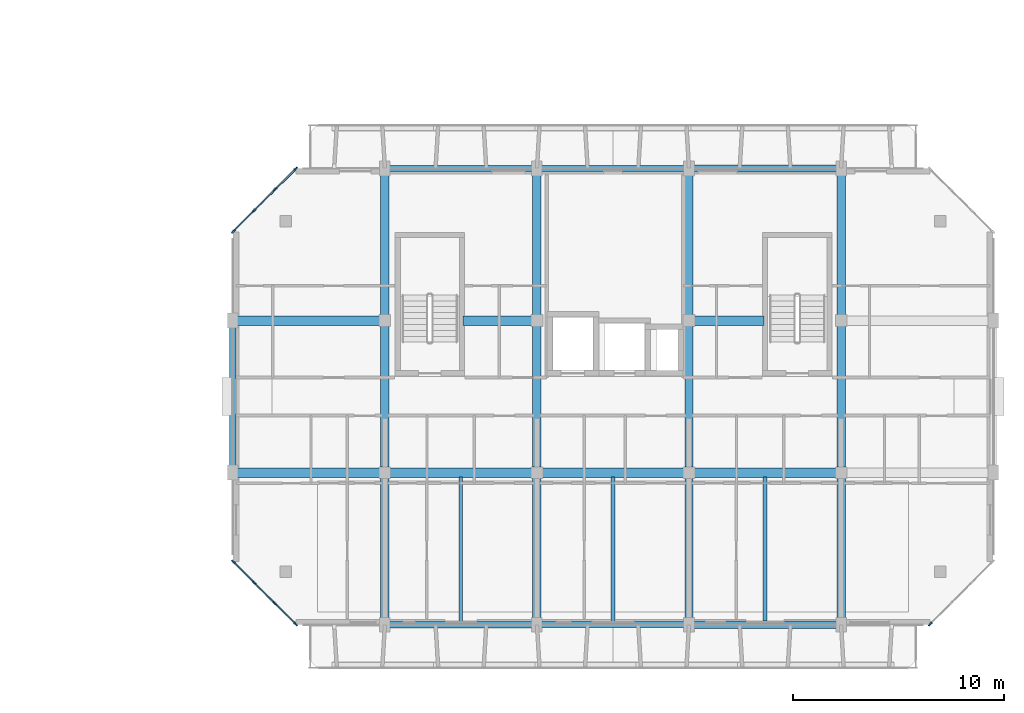
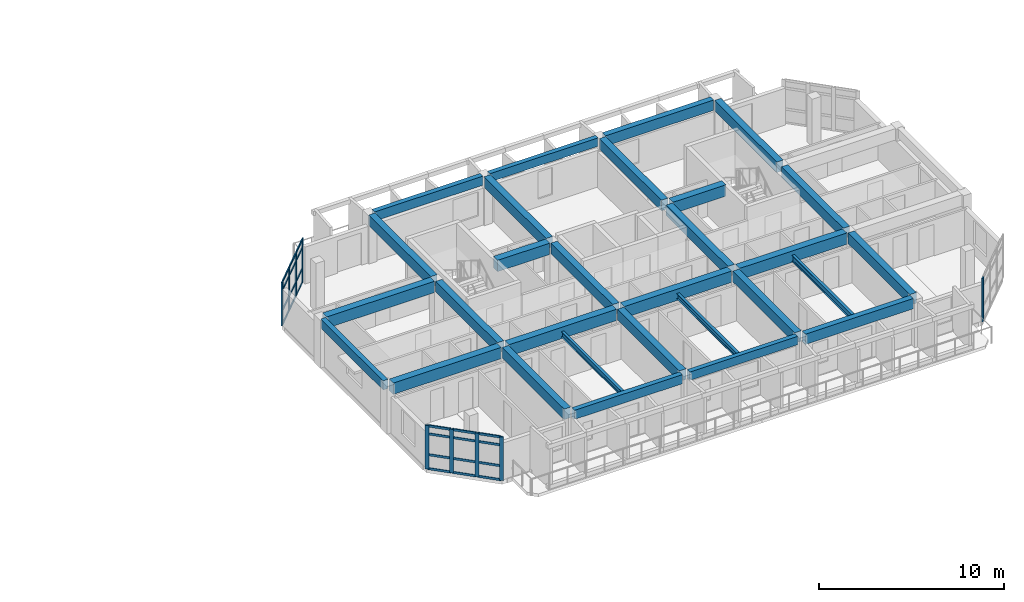
# One storey, part 6 of 43: 33 members, 29 beams, 3 elements without a shape of their own.
"""IFC4 building model written with IfcOpenShell, lengths in metres."""

from ifc_helpers import new_model, si_unit, direction, frame, origin, origin_2d, place, context, subcontext, project, spatial, rectangle, i_section, extrude, material, layer, layer_set, material_profile, profile_set, type_object, element, aggregate, save


model = new_model("IFC4")

# Units and contexts
model_context = context("Model", 3, precision=1e-05, world=origin(), true_north=direction((0.0, 1.0)))
body_context = subcontext(model_context, "Body", "Model", "MODEL_VIEW")
ifc_project = project(units=[si_unit("LENGTHUNIT", "METRE"), si_unit("AREAUNIT", "SQUARE_METRE"), si_unit("VOLUMEUNIT", "CUBIC_METRE"), si_unit("PLANEANGLEUNIT", "RADIAN"), si_unit("MASSUNIT", "GRAM", prefix="KILO")], contexts=[model_context])

# Site, building, storey
site_placement = place(None, origin())
site = spatial("IfcSite", under=ifc_project, at=site_placement, CompositionType="ELEMENT")
building_placement = place(site_placement, origin())
building = spatial("IfcBuilding", under=site, at=building_placement, Name="Ochrevale Crest", CompositionType="ELEMENT")
storey_placement = place(building_placement, frame((0.0, 0.0, 15.0)))
storey = spatial("IfcBuildingStorey", under=building, at=storey_placement, Name="L04", CompositionType="ELEMENT", Elevation=15.0)

# Beams
ifc_material_1 = material(Name="Precast concrete C50/60", Category="concrete")
ifc_material_profile_1 = material_profile(ifc_material_1, rectangle(XDim=0.39990234375, YDim=0.699951171875, at=origin_2d()), Name="PC 400x700")
ifc_profile_set_1 = profile_set([ifc_material_profile_1], Name="Precast concrete C50/60")
beam_type_1 = type_object("IfcBeamType", Name="BM-PC400x700", PredefinedType="BEAM", material=ifc_profile_set_1)
beam_1_placement = place(storey_placement, frame((136.800048828125, 14.6298828125, 2.800048828125), z_axis=(0.0, 1.0, 0.0), x_axis=(-1.0, 0.0, 0.0)))
element("IfcBeam", 1, at=beam_1_placement, inside=storey, type_object=beam_type_1, Name="Block C L04 N-S beam X=136.8", PredefinedType="BEAM", context=body_context, shape_type="SweptSolid", body=[
    extrude(rectangle(XDim=0.39990234375, YDim=0.699951171875, at=origin_2d()), origin(), (0.0, 0.0, 1.0), 6.715087890625),
])
beam_2_placement = place(storey_placement, frame((136.800048828125, 21.85498046875, 2.800048828125), z_axis=(0.0, 1.0, 0.0), x_axis=(-1.0, 0.0, 0.0)))
element("IfcBeam", 2, at=beam_2_placement, inside=storey, type_object=beam_type_1, Name="Block C L04 N-S beam X=136.8", PredefinedType="BEAM", context=body_context, shape_type="SweptSolid", body=[
    extrude(rectangle(XDim=0.39990234375, YDim=0.699951171875, at=origin_2d()), origin(), (0.0, 0.0, 1.0), 6.68994140625),
])
for number, where, z_axis, x_axis, name in (
    (3, (136.800048828125, 29.054931640625, 2.800048828125), (0.0, 1.0, 0.0), (-1.0, 0.0, 0.0), "Block C L04 N-S beam X=136.8"),
    (4, (144.0, 14.6298828125, 2.800048828125), (0.0, 1.0, 0.0), (-1.0, 0.0, 0.0), "Block C L04 N-S beam X=144.0"),
):
    element("IfcBeam", number, at=place(storey_placement, frame(where, z_axis=z_axis, x_axis=x_axis)), inside=storey, type_object=beam_type_1, Name=name, PredefinedType="BEAM", context=body_context, shape_type="SweptSolid", body=[
        extrude(rectangle(XDim=0.39990234375, YDim=0.699951171875, at=origin_2d()), origin(), (0.0, 0.0, 1.0), 6.715087890625),
    ])
beam_3_placement = place(storey_placement, frame((144.0, 21.85498046875, 2.800048828125), z_axis=(0.0, 1.0, 0.0), x_axis=(-1.0, 0.0, 0.0)))
element("IfcBeam", 5, at=beam_3_placement, inside=storey, type_object=beam_type_1, Name="Block C L04 N-S beam X=144.0", PredefinedType="BEAM", context=body_context, shape_type="SweptSolid", body=[
    extrude(rectangle(XDim=0.39990234375, YDim=0.699951171875, at=origin_2d()), origin(), (0.0, 0.0, 1.0), 6.68994140625),
])
for number, where, z_axis, x_axis, name in (
    (6, (144.0, 29.054931640625, 2.800048828125), (0.0, 1.0, 0.0), (-1.0, 0.0, 0.0), "Block C L04 N-S beam X=144.0"),
    (7, (151.199951171875, 14.6298828125, 2.800048828125), (0.0, 1.0, 0.0), (-1.0, 0.0, 0.0), "Block C L04 N-S beam X=151.2"),
):
    element("IfcBeam", number, at=place(storey_placement, frame(where, z_axis=z_axis, x_axis=x_axis)), inside=storey, type_object=beam_type_1, Name=name, PredefinedType="BEAM", context=body_context, shape_type="SweptSolid", body=[
        extrude(rectangle(XDim=0.39990234375, YDim=0.699951171875, at=origin_2d()), origin(), (0.0, 0.0, 1.0), 6.715087890625),
    ])
beam_4_placement = place(storey_placement, frame((151.199951171875, 21.85498046875, 2.800048828125), z_axis=(0.0, 1.0, 0.0), x_axis=(-1.0, 0.0, 0.0)))
element("IfcBeam", 8, at=beam_4_placement, inside=storey, type_object=beam_type_1, Name="Block C L04 N-S beam X=151.2", PredefinedType="BEAM", context=body_context, shape_type="SweptSolid", body=[
    extrude(rectangle(XDim=0.39990234375, YDim=0.699951171875, at=origin_2d()), origin(), (0.0, 0.0, 1.0), 6.68994140625),
])
for number, where, z_axis, x_axis, name in (
    (9, (151.199951171875, 29.054931640625, 2.800048828125), (0.0, 1.0, 0.0), (-1.0, 0.0, 0.0), "Block C L04 N-S beam X=151.2"),
    (10, (158.39990234375, 14.6298828125, 2.800048828125), (0.0, 1.0, 0.0), (-1.0, 0.0, 0.0), "Block C L04 N-S beam X=158.4"),
):
    element("IfcBeam", number, at=place(storey_placement, frame(where, z_axis=z_axis, x_axis=x_axis)), inside=storey, type_object=beam_type_1, Name=name, PredefinedType="BEAM", context=body_context, shape_type="SweptSolid", body=[
        extrude(rectangle(XDim=0.39990234375, YDim=0.699951171875, at=origin_2d()), origin(), (0.0, 0.0, 1.0), 6.715087890625),
    ])
beam_5_placement = place(storey_placement, frame((158.39990234375, 21.85498046875, 2.800048828125), z_axis=(0.0, 1.0, 0.0), x_axis=(-1.0, 0.0, 0.0)))
element("IfcBeam", 11, at=beam_5_placement, inside=storey, type_object=beam_type_1, Name="Block C L04 N-S beam X=158.4", PredefinedType="BEAM", context=body_context, shape_type="SweptSolid", body=[
    extrude(rectangle(XDim=0.39990234375, YDim=0.699951171875, at=origin_2d()), origin(), (0.0, 0.0, 1.0), 6.68994140625),
])
beam_6_placement = place(storey_placement, frame((158.39990234375, 29.054931640625, 2.800048828125), z_axis=(0.0, 1.0, 0.0), x_axis=(-1.0, 0.0, 0.0)))
element("IfcBeam", 12, at=beam_6_placement, inside=storey, type_object=beam_type_1, Name="Block C L04 N-S beam X=158.4", PredefinedType="BEAM", context=body_context, shape_type="SweptSolid", body=[
    extrude(rectangle(XDim=0.39990234375, YDim=0.699951171875, at=origin_2d()), origin(), (0.0, 0.0, 1.0), 6.715087890625),
])
ifc_material_2 = material(Name="Concrete C50/60", Category="concrete")
ifc_material_profile_2 = material_profile(ifc_material_2, rectangle(XDim=0.449951171875, YDim=0.75, at=origin_2d()), Name="RC 450x750")
ifc_profile_set_2 = profile_set([ifc_material_profile_2], Name="Concrete C50/60")
beam_type_2 = type_object("IfcBeamType", Name="BM-PG450x750", PredefinedType="USERDEFINED", material=ifc_profile_set_2)
beam_7_placement = place(storey_placement, frame((129.824951171875, 21.60009765625, 2.77490234375), z_axis=(1.0, 0.0, 0.0), x_axis=(0.0, 1.0, 0.0)))
element("IfcBeam", 13, at=beam_7_placement, inside=storey, type_object=beam_type_2, Name="Block C L04 E-W beam Y=21.6", ObjectType="GIRDER", PredefinedType="USERDEFINED", context=body_context, shape_type="SweptSolid", body=[
    extrude(rectangle(XDim=0.449951171875, YDim=0.75, at=origin_2d()), origin(), (0.0, 0.0, 1.0), 6.72509765625),
])
for number, where, z_axis, x_axis, name in (
    (14, (137.050048828125, 21.60009765625, 2.77490234375), (1.0, 0.0, 0.0), (0.0, 1.0, 0.0), "Block C L04 E-W beam Y=21.6"),
    (15, (144.25, 21.60009765625, 2.77490234375), (1.0, 0.0, 0.0), (0.0, 1.0, 0.0), "Block C L04 E-W beam Y=21.6"),
    (16, (151.449951171875, 21.60009765625, 2.77490234375), (1.0, 0.0, 0.0), (0.0, 1.0, 0.0), "Block C L04 E-W beam Y=21.6"),
):
    element("IfcBeam", number, at=place(storey_placement, frame(where, z_axis=z_axis, x_axis=x_axis)), inside=storey, type_object=beam_type_2, Name=name, ObjectType="GIRDER", PredefinedType="USERDEFINED", context=body_context, shape_type="SweptSolid", body=[
        extrude(rectangle(XDim=0.449951171875, YDim=0.75, at=origin_2d()), origin(), (0.0, 0.0, 1.0), 6.699951171875),
    ])
beam_8_placement = place(storey_placement, frame((129.824951171875, 28.800048828125, 2.77490234375), z_axis=(1.0, 0.0, 0.0), x_axis=(0.0, 1.0, 0.0)))
element("IfcBeam", 17, at=beam_8_placement, inside=storey, type_object=beam_type_2, Name="Block C L04 E-W beam Y=28.8", ObjectType="GIRDER", PredefinedType="USERDEFINED", context=body_context, shape_type="SweptSolid", body=[
    extrude(rectangle(XDim=0.449951171875, YDim=0.75, at=origin_2d()), origin(), (0.0, 0.0, 1.0), 6.72509765625),
])
beam_9_placement = place(storey_placement, frame((140.489990234375, 28.800048828125, 2.77490234375), z_axis=(1.0, 0.0, 0.0), x_axis=(0.0, 1.0, 0.0)))
element("IfcBeam", 18, at=beam_9_placement, inside=storey, type_object=beam_type_2, Name="Block C L04 E-W beam Y=28.8", ObjectType="GIRDER", PredefinedType="USERDEFINED", context=body_context, shape_type="SweptSolid", body=[
    extrude(rectangle(XDim=0.449951171875, YDim=0.75, at=origin_2d()), origin(), (0.0, 0.0, 1.0), 3.260009765625),
])
beam_10_placement = place(storey_placement, frame((151.449951171875, 28.800048828125, 2.77490234375), z_axis=(1.0, 0.0, 0.0), x_axis=(0.0, 1.0, 0.0)))
element("IfcBeam", 19, at=beam_10_placement, inside=storey, type_object=beam_type_2, Name="Block C L04 E-W beam Y=28.8", ObjectType="GIRDER", PredefinedType="USERDEFINED", context=body_context, shape_type="SweptSolid", body=[
    extrude(rectangle(XDim=0.449951171875, YDim=0.75, at=origin_2d()), origin(), (0.0, 0.0, 1.0), 3.31005859375),
])
ifc_material_3 = material(Name="Precast concrete C40/50", Category="concrete")
ifc_material_profile_3 = material_profile(ifc_material_3, rectangle(XDim=0.280029296875, YDim=0.550048828125, at=origin_2d()), Name="PC 280x550")
ifc_profile_set_3 = profile_set([ifc_material_profile_3], Name="Precast concrete C40/50")
beam_type_3 = type_object("IfcBeamType", Name="BM-SP280x550", PredefinedType="SPANDREL", material=ifc_profile_set_3)
for number, where, z_axis, x_axis, name in (
    (20, (144.22509765625, 14.39990234375, 2.875), (1.0, 0.0, 0.0), (0.0, 1.0, 0.0), "Block C L04 E-W beam Y=14.4"),
    (21, (144.22509765625, 36.0, 2.875), (1.0, 0.0, 0.0), (0.0, 1.0, 0.0), "Block C L04 E-W beam Y=36.0"),
):
    element("IfcBeam", number, at=place(storey_placement, frame(where, z_axis=z_axis, x_axis=x_axis)), inside=storey, type_object=beam_type_3, Name=name, PredefinedType="SPANDREL", context=body_context, shape_type="SweptSolid", body=[
        extrude(rectangle(XDim=0.280029296875, YDim=0.550048828125, at=origin_2d()), origin(), (0.0, 0.0, 1.0), 6.75),
    ])
ifc_material_profile_4 = material_profile(ifc_material_3, rectangle(XDim=0.300048828125, YDim=0.60009765625, at=origin_2d()), Name="PC 300x600")
ifc_profile_set_4 = profile_set([ifc_material_profile_4], Name="Precast concrete C40/50")
beam_type_4 = type_object("IfcBeamType", Name="BM-SP300x600", PredefinedType="SPANDREL", material=ifc_profile_set_4)
for number, where, z_axis, x_axis, name in (
    (22, (137.02490234375, 14.39990234375, 2.85009765625), (1.0, 0.0, 0.0), (0.0, 1.0, 0.0), "Block C L04 E-W beam Y=14.4"),
    (23, (137.02490234375, 36.0, 2.85009765625), (1.0, 0.0, 0.0), (0.0, 1.0, 0.0), "Block C L04 E-W beam Y=36.0"),
):
    element("IfcBeam", number, at=place(storey_placement, frame(where, z_axis=z_axis, x_axis=x_axis)), inside=storey, type_object=beam_type_4, Name=name, PredefinedType="SPANDREL", context=body_context, shape_type="SweptSolid", body=[
        extrude(rectangle(XDim=0.300048828125, YDim=0.60009765625, at=origin_2d()), origin(), (0.0, 0.0, 1.0), 6.75),
    ])
beam_11_placement = place(storey_placement, frame((129.60009765625, 21.830078125, 2.85009765625), z_axis=(0.0, 1.0, 0.0), x_axis=(-1.0, 0.0, 0.0)))
element("IfcBeam", 24, at=beam_11_placement, inside=storey, type_object=beam_type_4, Name="Block C L04 N-S beam X=129.6", PredefinedType="SPANDREL", context=body_context, shape_type="SweptSolid", body=[
    extrude(rectangle(XDim=0.300048828125, YDim=0.60009765625, at=origin_2d()), origin(), (0.0, 0.0, 1.0), 6.739990234375),
])
ifc_material_profile_5 = material_profile(ifc_material_3, rectangle(XDim=0.35009765625, YDim=0.679931640625, at=origin_2d()), Name="PC 350x680")
ifc_profile_set_5 = profile_set([ifc_material_profile_5], Name="Precast concrete C40/50")
beam_type_5 = type_object("IfcBeamType", Name="BM-SP350x680", PredefinedType="SPANDREL", material=ifc_profile_set_5)
for number, where, z_axis, x_axis, name in (
    (25, (151.425048828125, 14.39990234375, 2.81005859375), (1.0, 0.0, 0.0), (0.0, 1.0, 0.0), "Block C L04 E-W beam Y=14.4"),
    (26, (151.425048828125, 36.0, 2.81005859375), (1.0, 0.0, 0.0), (0.0, 1.0, 0.0), "Block C L04 E-W beam Y=36.0"),
):
    element("IfcBeam", number, at=place(storey_placement, frame(where, z_axis=z_axis, x_axis=x_axis)), inside=storey, type_object=beam_type_5, Name=name, PredefinedType="SPANDREL", context=body_context, shape_type="SweptSolid", body=[
        extrude(rectangle(XDim=0.35009765625, YDim=0.679931640625, at=origin_2d()), origin(), (0.0, 0.0, 1.0), 6.75),
    ])
ifc_material_4 = material(Name="Steel S355", Category="steel")
ifc_material_profile_6 = material_profile(ifc_material_4, i_section(OverallWidth=0.17138671875, OverallDepth=0.355712890625, WebThickness=0.00732421875, FlangeThickness=0.011474609375, FilletRadius=0.011474609375, at=origin_2d()), Name="360UB50.7")
ifc_profile_set_6 = profile_set([ifc_material_profile_6], Name="Steel S355")
beam_type_6 = type_object("IfcBeamType", Name="BM-UB360A", PredefinedType="BEAM", material=ifc_profile_set_6)
beam_12_placement = place(storey_placement, frame((140.39990234375, 14.5380859375, 2.697265625), z_axis=(0.0, 1.0, 0.0), x_axis=(-1.0, 0.0, 0.0)))
element("IfcBeam", 27, at=beam_12_placement, inside=storey, type_object=beam_type_6, Name="Block C L04 composite plank trimmer beam 2", PredefinedType="BEAM", context=body_context, shape_type="SweptSolid", body=[
    extrude(i_section(OverallWidth=0.17138671875, OverallDepth=0.355712890625, WebThickness=0.00732421875, FlangeThickness=0.011474609375, FilletRadius=0.011474609375, at=origin_2d()), origin(), (0.0, 0.0, 1.0), 6.848876953125),
])
ifc_material_profile_7 = material_profile(ifc_material_4, i_section(OverallWidth=0.172119140625, OverallDepth=0.358642578125, WebThickness=0.008056640625, FlangeThickness=0.012939453125, FilletRadius=0.011474609375, at=origin_2d()), Name="360UB56.7")
ifc_profile_set_7 = profile_set([ifc_material_profile_7], Name="Steel S355")
beam_type_7 = type_object("IfcBeamType", Name="BM-UB360B", PredefinedType="BEAM", material=ifc_profile_set_7)
beam_13_placement = place(storey_placement, frame((147.60009765625, 14.528076171875, 2.69580078125), z_axis=(0.0, 1.0, 0.0), x_axis=(-1.0, 0.0, 0.0)))
element("IfcBeam", 28, at=beam_13_placement, inside=storey, type_object=beam_type_7, Name="Block C L04 composite plank trimmer beam 3", PredefinedType="BEAM", context=body_context, shape_type="SweptSolid", body=[
    extrude(i_section(OverallWidth=0.172119140625, OverallDepth=0.358642578125, WebThickness=0.008056640625, FlangeThickness=0.012939453125, FilletRadius=0.011474609375, at=origin_2d()), origin(), (0.0, 0.0, 1.0), 6.85888671875),
])
ifc_material_profile_8 = material_profile(ifc_material_4, i_section(OverallWidth=0.177734375, OverallDepth=0.402587890625, WebThickness=0.007568359375, FlangeThickness=0.010986328125, FilletRadius=0.011474609375, at=origin_2d()), Name="410UB53.7")
ifc_profile_set_8 = profile_set([ifc_material_profile_8], Name="Steel S355")
beam_type_8 = type_object("IfcBeamType", Name="BM-UB410A", PredefinedType="BEAM", material=ifc_profile_set_8)
beam_14_placement = place(storey_placement, frame((154.800048828125, 14.56298828125, 2.673583984375), z_axis=(0.0, 1.0, 0.0), x_axis=(-1.0, 0.0, 0.0)))
element("IfcBeam", 29, at=beam_14_placement, inside=storey, type_object=beam_type_8, Name="Block C L04 composite plank trimmer beam 4", PredefinedType="BEAM", context=body_context, shape_type="SweptSolid", body=[
    extrude(i_section(OverallWidth=0.177734375, OverallDepth=0.402587890625, WebThickness=0.007568359375, FlangeThickness=0.010986328125, FilletRadius=0.011474609375, at=origin_2d()), origin(), (0.0, 0.0, 1.0), 6.823974609375),
])

# Curtain wall, member
ifc_material_5 = material(Name="Anodised aluminium 6063-T5", Category="aluminium")
ifc_layer_1 = layer(ifc_material_5, 0.14990234375)
ifc_layer_set_1 = layer_set([ifc_layer_1], Name="Anodised aluminium 6063-T5")
curtain_wall_type_1 = type_object("IfcCurtainWallType", Name="CW-WG-280x285", PredefinedType="NOTDEFINED", material=ifc_layer_set_1)
curtain_wall_1_placement = place(storey_placement, origin())
curtain_wall_1 = element("IfcCurtainWall", 30, at=curtain_wall_1_placement, inside=storey, type_object=curtain_wall_type_1, Name="Block C L04 chamfered corner wintergarden curtain wall 2", PredefinedType="NOTDEFINED")
ifc_material_profile_9 = material_profile(ifc_material_5, rectangle(XDim=0.074951171875, YDim=0.219970703125, at=origin_2d()), Name="ALU 75x220")
ifc_profile_set_9 = profile_set([ifc_material_profile_9], Name="Anodised aluminium 6063-T5")
member_type_1 = type_object("IfcMemberType", Name="CW-MUL-75x220", PredefinedType="MULLION", material=ifc_profile_set_9)
member_1_placement = place(storey_placement, frame((162.62646484375, 14.426513671875, 0.0), z_axis=(0.0, 0.0, 1.0), x_axis=(-0.707106781187, 0.707106781187, 0.0)))
member_1 = element("IfcMember", 31, at=member_1_placement, type_object=member_type_1, Name="CW16 mullion 1", PredefinedType="MULLION", context=body_context, shape_type="SweptSolid", body=[
    extrude(rectangle(XDim=0.074951171875, YDim=0.219970703125, at=origin_2d()), origin(), (0.0, 0.0, 1.0), 2.875),
])
aggregate(curtain_wall_1, [member_1])

# Curtain wall, members
ifc_layer_2 = layer(ifc_material_5, 0.14990234375)
ifc_layer_set_2 = layer_set([ifc_layer_2], Name="Anodised aluminium 6063-T5")
curtain_wall_type_2 = type_object("IfcCurtainWallType", Name="CW-WG-240x285", PredefinedType="NOTDEFINED", material=ifc_layer_set_2)
curtain_wall_2_placement = place(storey_placement, origin())
curtain_wall_2 = element("IfcCurtainWall", 32, at=curtain_wall_2_placement, inside=storey, type_object=curtain_wall_type_2, Name="Block C L04 chamfered corner wintergarden curtain wall 6", PredefinedType="NOTDEFINED")
member_2_placement = place(storey_placement, frame((132.573486328125, 35.973388671875, 0.0), z_axis=(0.0, 0.0, 1.0), x_axis=(0.707106781187, -0.707106781187, 0.0)))
member_2 = element("IfcMember", 33, at=member_2_placement, type_object=member_type_1, Name="CW15 mullion 1", PredefinedType="MULLION", context=body_context, shape_type="SweptSolid", body=[
    extrude(rectangle(XDim=0.074951171875, YDim=0.219970703125, at=origin_2d()), origin(), (0.0, 0.0, 1.0), 2.875),
])
member_3_placement = place(storey_placement, frame((131.60009765625, 35.0, 0.0), z_axis=(0.0, 0.0, 1.0), x_axis=(0.707106781187, -0.707106781187, 0.0)))
member_3 = element("IfcMember", 34, at=member_3_placement, type_object=member_type_1, Name="CW15 mullion 2", PredefinedType="MULLION", context=body_context, shape_type="SweptSolid", body=[
    extrude(rectangle(XDim=0.074951171875, YDim=0.219970703125, at=origin_2d()), origin(), (0.0, 0.0, 1.0), 2.875),
])
member_4_placement = place(storey_placement, frame((130.60009765625, 34.0, 0.0), z_axis=(0.0, 0.0, 1.0), x_axis=(0.707106781187, -0.707106781187, 0.0)))
member_4 = element("IfcMember", 35, at=member_4_placement, type_object=member_type_1, Name="CW15 mullion 3", PredefinedType="MULLION", context=body_context, shape_type="SweptSolid", body=[
    extrude(rectangle(XDim=0.074951171875, YDim=0.219970703125, at=origin_2d()), origin(), (0.0, 0.0, 1.0), 2.875),
])
member_5_placement = place(storey_placement, frame((129.62646484375, 33.026611328125, 0.0), z_axis=(0.0, 0.0, 1.0), x_axis=(0.707106781187, -0.707106781187, 0.0)))
member_5 = element("IfcMember", 36, at=member_5_placement, type_object=member_type_1, Name="CW15 mullion 4", PredefinedType="MULLION", context=body_context, shape_type="SweptSolid", body=[
    extrude(rectangle(XDim=0.074951171875, YDim=0.219970703125, at=origin_2d()), origin(), (0.0, 0.0, 1.0), 2.875),
])

ifc_layer_3 = layer(ifc_material_5, 0.14990234375)
ifc_layer_set_3 = layer_set([ifc_layer_3], Name="Anodised aluminium 6063-T5")
curtain_wall_type_3 = type_object("IfcCurtainWallType", Name="CW-WG-320x285", PredefinedType="NOTDEFINED", material=ifc_layer_set_3)
curtain_wall_3_placement = place(storey_placement, origin())
curtain_wall_3 = element("IfcCurtainWall", 37, at=curtain_wall_3_placement, inside=storey, type_object=curtain_wall_type_3, Name="Block C L04 chamfered corner wintergarden curtain wall 8", PredefinedType="NOTDEFINED")
member_6_placement = place(storey_placement, frame((129.62646484375, 17.37353515625, 0.0), z_axis=(0.0, 0.0, 1.0), x_axis=(0.707106781187, 0.707106781187, 0.0)))
member_6 = element("IfcMember", 38, at=member_6_placement, type_object=member_type_1, Name="CW17 mullion 1", PredefinedType="MULLION", context=body_context, shape_type="SweptSolid", body=[
    extrude(rectangle(XDim=0.074951171875, YDim=0.219970703125, at=origin_2d()), origin(), (0.0, 0.0, 1.0), 2.875),
])
member_7_placement = place(storey_placement, frame((130.60009765625, 16.39990234375, 0.0), z_axis=(0.0, 0.0, 1.0), x_axis=(0.707106781187, 0.707106781187, 0.0)))
member_7 = element("IfcMember", 39, at=member_7_placement, type_object=member_type_1, Name="CW17 mullion 2", PredefinedType="MULLION", context=body_context, shape_type="SweptSolid", body=[
    extrude(rectangle(XDim=0.074951171875, YDim=0.219970703125, at=origin_2d()), origin(), (0.0, 0.0, 1.0), 2.875),
])
member_8_placement = place(storey_placement, frame((131.60009765625, 15.39990234375, 0.0), z_axis=(0.0, 0.0, 1.0), x_axis=(0.707106781187, 0.707106781187, 0.0)))
member_8 = element("IfcMember", 40, at=member_8_placement, type_object=member_type_1, Name="CW17 mullion 3", PredefinedType="MULLION", context=body_context, shape_type="SweptSolid", body=[
    extrude(rectangle(XDim=0.074951171875, YDim=0.219970703125, at=origin_2d()), origin(), (0.0, 0.0, 1.0), 2.875),
])
member_9_placement = place(storey_placement, frame((132.573486328125, 14.426513671875, 0.0), z_axis=(0.0, 0.0, 1.0), x_axis=(0.707106781187, 0.707106781187, 0.0)))
member_9 = element("IfcMember", 41, at=member_9_placement, type_object=member_type_1, Name="CW17 mullion 4", PredefinedType="MULLION", context=body_context, shape_type="SweptSolid", body=[
    extrude(rectangle(XDim=0.074951171875, YDim=0.219970703125, at=origin_2d()), origin(), (0.0, 0.0, 1.0), 2.875),
])

# Member
ifc_material_profile_10 = material_profile(ifc_material_5, rectangle(XDim=0.06005859375, YDim=0.14990234375, at=origin_2d()), Name="ALU 60x150")
ifc_profile_set_10 = profile_set([ifc_material_profile_10], Name="Anodised aluminium 6063-T5")
member_type_2 = type_object("IfcMemberType", Name="CW-TRN-60x150", PredefinedType="USERDEFINED", material=ifc_profile_set_10)
member_10_placement = place(storey_placement, frame((132.546875, 35.947021484375, 0.030029296875), z_axis=(-0.707106781187, -0.707106781187, 0.0), x_axis=(0.707106781187, -0.707106781187, 0.0)))
member_10 = element("IfcMember", 42, at=member_10_placement, type_object=member_type_2, Name="CW15 transom 1.1", ObjectType="TRANSOM", PredefinedType="USERDEFINED", context=body_context, shape_type="SweptSolid", body=[
    extrude(rectangle(XDim=0.06005859375, YDim=0.14990234375, at=origin_2d()), origin(), (0.0, 0.0, 1.0), 1.3017578125),
])

member_11_placement = place(storey_placement, frame((132.546875, 35.947021484375, 0.949951171875), z_axis=(-0.707106781187, -0.707106781187, 0.0), x_axis=(0.707106781187, -0.707106781187, 0.0)))
member_11 = element("IfcMember", 43, at=member_11_placement, type_object=member_type_2, Name="CW15 transom 1.2", ObjectType="TRANSOM", PredefinedType="USERDEFINED", context=body_context, shape_type="SweptSolid", body=[
    extrude(rectangle(XDim=0.06005859375, YDim=0.14990234375, at=origin_2d()), origin(), (0.0, 0.0, 1.0), 1.3017578125),
])

member_12_placement = place(storey_placement, frame((132.546875, 35.947021484375, 2.324951171875), z_axis=(-0.707106781187, -0.707106781187, 0.0), x_axis=(0.707106781187, -0.707106781187, 0.0)))
member_12 = element("IfcMember", 44, at=member_12_placement, type_object=member_type_2, Name="CW15 transom 1.3", ObjectType="TRANSOM", PredefinedType="USERDEFINED", context=body_context, shape_type="SweptSolid", body=[
    extrude(rectangle(XDim=0.06005859375, YDim=0.14990234375, at=origin_2d()), origin(), (0.0, 0.0, 1.0), 1.3017578125),
])

member_13_placement = place(storey_placement, frame((132.546875, 35.947021484375, 2.844970703125), z_axis=(-0.707106781187, -0.707106781187, 0.0), x_axis=(0.707106781187, -0.707106781187, 0.0)))
member_13 = element("IfcMember", 45, at=member_13_placement, type_object=member_type_2, Name="CW15 transom 1.4", ObjectType="TRANSOM", PredefinedType="USERDEFINED", context=body_context, shape_type="SweptSolid", body=[
    extrude(rectangle(XDim=0.06005859375, YDim=0.14990234375, at=origin_2d()), origin(), (0.0, 0.0, 1.0), 1.3017578125),
])

member_14_placement = place(storey_placement, frame((131.573486328125, 34.973388671875, 0.030029296875), z_axis=(-0.707197932559, -0.707015618062, 0.0), x_axis=(0.707015618062, -0.707197932559, 0.0)))
member_14 = element("IfcMember", 46, at=member_14_placement, type_object=member_type_2, Name="CW15 transom 2.1", ObjectType="TRANSOM", PredefinedType="USERDEFINED", context=body_context, shape_type="SweptSolid", body=[
    extrude(rectangle(XDim=0.06005859375, YDim=0.14990234375, at=origin_2d()), origin(), (0.0, 0.0, 1.0), 1.339111328125),
])

member_15_placement = place(storey_placement, frame((131.573486328125, 34.973388671875, 0.949951171875), z_axis=(-0.707197932559, -0.707015618062, 0.0), x_axis=(0.707015618062, -0.707197932559, 0.0)))
member_15 = element("IfcMember", 47, at=member_15_placement, type_object=member_type_2, Name="CW15 transom 2.2", ObjectType="TRANSOM", PredefinedType="USERDEFINED", context=body_context, shape_type="SweptSolid", body=[
    extrude(rectangle(XDim=0.06005859375, YDim=0.14990234375, at=origin_2d()), origin(), (0.0, 0.0, 1.0), 1.339111328125),
])

member_16_placement = place(storey_placement, frame((131.573486328125, 34.973388671875, 2.324951171875), z_axis=(-0.707197932559, -0.707015618062, 0.0), x_axis=(0.707015618062, -0.707197932559, 0.0)))
member_16 = element("IfcMember", 48, at=member_16_placement, type_object=member_type_2, Name="CW15 transom 2.3", ObjectType="TRANSOM", PredefinedType="USERDEFINED", context=body_context, shape_type="SweptSolid", body=[
    extrude(rectangle(XDim=0.06005859375, YDim=0.14990234375, at=origin_2d()), origin(), (0.0, 0.0, 1.0), 1.339111328125),
])

member_17_placement = place(storey_placement, frame((131.573486328125, 34.973388671875, 2.844970703125), z_axis=(-0.707197932559, -0.707015618062, 0.0), x_axis=(0.707015618062, -0.707197932559, 0.0)))
member_17 = element("IfcMember", 49, at=member_17_placement, type_object=member_type_2, Name="CW15 transom 2.4", ObjectType="TRANSOM", PredefinedType="USERDEFINED", context=body_context, shape_type="SweptSolid", body=[
    extrude(rectangle(XDim=0.06005859375, YDim=0.14990234375, at=origin_2d()), origin(), (0.0, 0.0, 1.0), 1.339111328125),
])

member_18_placement = place(storey_placement, frame((130.573486328125, 33.973388671875, 0.030029296875), z_axis=(-0.707106781187, -0.707106781187, 0.0), x_axis=(0.707106781187, -0.707106781187, 0.0)))
member_18 = element("IfcMember", 50, at=member_18_placement, type_object=member_type_2, Name="CW15 transom 3.1", ObjectType="TRANSOM", PredefinedType="USERDEFINED", context=body_context, shape_type="SweptSolid", body=[
    extrude(rectangle(XDim=0.06005859375, YDim=0.14990234375, at=origin_2d()), origin(), (0.0, 0.0, 1.0), 1.3017578125),
])

member_19_placement = place(storey_placement, frame((130.573486328125, 33.973388671875, 0.949951171875), z_axis=(-0.707106781187, -0.707106781187, 0.0), x_axis=(0.707106781187, -0.707106781187, 0.0)))
member_19 = element("IfcMember", 51, at=member_19_placement, type_object=member_type_2, Name="CW15 transom 3.2", ObjectType="TRANSOM", PredefinedType="USERDEFINED", context=body_context, shape_type="SweptSolid", body=[
    extrude(rectangle(XDim=0.06005859375, YDim=0.14990234375, at=origin_2d()), origin(), (0.0, 0.0, 1.0), 1.3017578125),
])

member_20_placement = place(storey_placement, frame((130.573486328125, 33.973388671875, 2.324951171875), z_axis=(-0.707106781187, -0.707106781187, 0.0), x_axis=(0.707106781187, -0.707106781187, 0.0)))
member_20 = element("IfcMember", 52, at=member_20_placement, type_object=member_type_2, Name="CW15 transom 3.3", ObjectType="TRANSOM", PredefinedType="USERDEFINED", context=body_context, shape_type="SweptSolid", body=[
    extrude(rectangle(XDim=0.06005859375, YDim=0.14990234375, at=origin_2d()), origin(), (0.0, 0.0, 1.0), 1.3017578125),
])

member_21_placement = place(storey_placement, frame((130.573486328125, 33.973388671875, 2.844970703125), z_axis=(-0.707106781187, -0.707106781187, 0.0), x_axis=(0.707106781187, -0.707106781187, 0.0)))
member_21 = element("IfcMember", 53, at=member_21_placement, type_object=member_type_2, Name="CW15 transom 3.4", ObjectType="TRANSOM", PredefinedType="USERDEFINED", context=body_context, shape_type="SweptSolid", body=[
    extrude(rectangle(XDim=0.06005859375, YDim=0.14990234375, at=origin_2d()), origin(), (0.0, 0.0, 1.0), 1.3017578125),
])

aggregate(curtain_wall_2, [member_2, member_3, member_4, member_5, member_10, member_11, member_12, member_13, member_14, member_15, member_16, member_17, member_18, member_19, member_20, member_21])

member_22_placement = place(storey_placement, frame((129.653076171875, 17.346923828125, 0.030029296875), z_axis=(0.707106781187, -0.707106781187, 0.0), x_axis=(0.707106781187, 0.707106781187, 0.0)))
member_22 = element("IfcMember", 54, at=member_22_placement, type_object=member_type_2, Name="CW17 transom 1.1", ObjectType="TRANSOM", PredefinedType="USERDEFINED", context=body_context, shape_type="SweptSolid", body=[
    extrude(rectangle(XDim=0.06005859375, YDim=0.14990234375, at=origin_2d()), origin(), (0.0, 0.0, 1.0), 1.3017578125),
])

member_23_placement = place(storey_placement, frame((129.653076171875, 17.346923828125, 0.949951171875), z_axis=(0.707106781187, -0.707106781187, 0.0), x_axis=(0.707106781187, 0.707106781187, 0.0)))
member_23 = element("IfcMember", 55, at=member_23_placement, type_object=member_type_2, Name="CW17 transom 1.2", ObjectType="TRANSOM", PredefinedType="USERDEFINED", context=body_context, shape_type="SweptSolid", body=[
    extrude(rectangle(XDim=0.06005859375, YDim=0.14990234375, at=origin_2d()), origin(), (0.0, 0.0, 1.0), 1.3017578125),
])

member_24_placement = place(storey_placement, frame((129.653076171875, 17.346923828125, 2.324951171875), z_axis=(0.707106781187, -0.707106781187, 0.0), x_axis=(0.707106781187, 0.707106781187, 0.0)))
member_24 = element("IfcMember", 56, at=member_24_placement, type_object=member_type_2, Name="CW17 transom 1.3", ObjectType="TRANSOM", PredefinedType="USERDEFINED", context=body_context, shape_type="SweptSolid", body=[
    extrude(rectangle(XDim=0.06005859375, YDim=0.14990234375, at=origin_2d()), origin(), (0.0, 0.0, 1.0), 1.3017578125),
])

member_25_placement = place(storey_placement, frame((129.653076171875, 17.346923828125, 2.844970703125), z_axis=(0.707106781187, -0.707106781187, 0.0), x_axis=(0.707106781187, 0.707106781187, 0.0)))
member_25 = element("IfcMember", 57, at=member_25_placement, type_object=member_type_2, Name="CW17 transom 1.4", ObjectType="TRANSOM", PredefinedType="USERDEFINED", context=body_context, shape_type="SweptSolid", body=[
    extrude(rectangle(XDim=0.06005859375, YDim=0.14990234375, at=origin_2d()), origin(), (0.0, 0.0, 1.0), 1.3017578125),
])

member_26_placement = place(storey_placement, frame((130.62646484375, 16.37353515625, 0.030029296875), z_axis=(0.707106781187, -0.707106781187, 0.0), x_axis=(0.707106781187, 0.707106781187, 0.0)))
member_26 = element("IfcMember", 58, at=member_26_placement, type_object=member_type_2, Name="CW17 transom 2.1", ObjectType="TRANSOM", PredefinedType="USERDEFINED", context=body_context, shape_type="SweptSolid", body=[
    extrude(rectangle(XDim=0.06005859375, YDim=0.14990234375, at=origin_2d()), origin(), (0.0, 0.0, 1.0), 1.33935546875),
])

member_27_placement = place(storey_placement, frame((130.62646484375, 16.37353515625, 0.949951171875), z_axis=(0.707106781187, -0.707106781187, 0.0), x_axis=(0.707106781187, 0.707106781187, 0.0)))
member_27 = element("IfcMember", 59, at=member_27_placement, type_object=member_type_2, Name="CW17 transom 2.2", ObjectType="TRANSOM", PredefinedType="USERDEFINED", context=body_context, shape_type="SweptSolid", body=[
    extrude(rectangle(XDim=0.06005859375, YDim=0.14990234375, at=origin_2d()), origin(), (0.0, 0.0, 1.0), 1.33935546875),
])

member_28_placement = place(storey_placement, frame((130.62646484375, 16.37353515625, 2.324951171875), z_axis=(0.707106781187, -0.707106781187, 0.0), x_axis=(0.707106781187, 0.707106781187, 0.0)))
member_28 = element("IfcMember", 60, at=member_28_placement, type_object=member_type_2, Name="CW17 transom 2.3", ObjectType="TRANSOM", PredefinedType="USERDEFINED", context=body_context, shape_type="SweptSolid", body=[
    extrude(rectangle(XDim=0.06005859375, YDim=0.14990234375, at=origin_2d()), origin(), (0.0, 0.0, 1.0), 1.33935546875),
])

member_29_placement = place(storey_placement, frame((130.62646484375, 16.37353515625, 2.844970703125), z_axis=(0.707106781187, -0.707106781187, 0.0), x_axis=(0.707106781187, 0.707106781187, 0.0)))
member_29 = element("IfcMember", 61, at=member_29_placement, type_object=member_type_2, Name="CW17 transom 2.4", ObjectType="TRANSOM", PredefinedType="USERDEFINED", context=body_context, shape_type="SweptSolid", body=[
    extrude(rectangle(XDim=0.06005859375, YDim=0.14990234375, at=origin_2d()), origin(), (0.0, 0.0, 1.0), 1.33935546875),
])

member_30_placement = place(storey_placement, frame((131.62646484375, 15.37353515625, 0.030029296875), z_axis=(0.707106781187, -0.707106781187, 0.0), x_axis=(0.707106781187, 0.707106781187, 0.0)))
member_30 = element("IfcMember", 62, at=member_30_placement, type_object=member_type_2, Name="CW17 transom 3.1", ObjectType="TRANSOM", PredefinedType="USERDEFINED", context=body_context, shape_type="SweptSolid", body=[
    extrude(rectangle(XDim=0.06005859375, YDim=0.14990234375, at=origin_2d()), origin(), (0.0, 0.0, 1.0), 1.3017578125),
])

member_31_placement = place(storey_placement, frame((131.62646484375, 15.37353515625, 0.949951171875), z_axis=(0.707106781187, -0.707106781187, 0.0), x_axis=(0.707106781187, 0.707106781187, 0.0)))
member_31 = element("IfcMember", 63, at=member_31_placement, type_object=member_type_2, Name="CW17 transom 3.2", ObjectType="TRANSOM", PredefinedType="USERDEFINED", context=body_context, shape_type="SweptSolid", body=[
    extrude(rectangle(XDim=0.06005859375, YDim=0.14990234375, at=origin_2d()), origin(), (0.0, 0.0, 1.0), 1.3017578125),
])

member_32_placement = place(storey_placement, frame((131.62646484375, 15.37353515625, 2.324951171875), z_axis=(0.707106781187, -0.707106781187, 0.0), x_axis=(0.707106781187, 0.707106781187, 0.0)))
member_32 = element("IfcMember", 64, at=member_32_placement, type_object=member_type_2, Name="CW17 transom 3.3", ObjectType="TRANSOM", PredefinedType="USERDEFINED", context=body_context, shape_type="SweptSolid", body=[
    extrude(rectangle(XDim=0.06005859375, YDim=0.14990234375, at=origin_2d()), origin(), (0.0, 0.0, 1.0), 1.3017578125),
])

member_33_placement = place(storey_placement, frame((131.62646484375, 15.37353515625, 2.844970703125), z_axis=(0.707106781187, -0.707106781187, 0.0), x_axis=(0.707106781187, 0.707106781187, 0.0)))
member_33 = element("IfcMember", 65, at=member_33_placement, type_object=member_type_2, Name="CW17 transom 3.4", ObjectType="TRANSOM", PredefinedType="USERDEFINED", context=body_context, shape_type="SweptSolid", body=[
    extrude(rectangle(XDim=0.06005859375, YDim=0.14990234375, at=origin_2d()), origin(), (0.0, 0.0, 1.0), 1.3017578125),
])

aggregate(curtain_wall_3, [member_6, member_7, member_8, member_9, member_22, member_23, member_24, member_25, member_26, member_27, member_28, member_29, member_30, member_31, member_32, member_33])

save(model, "model.ifc")
